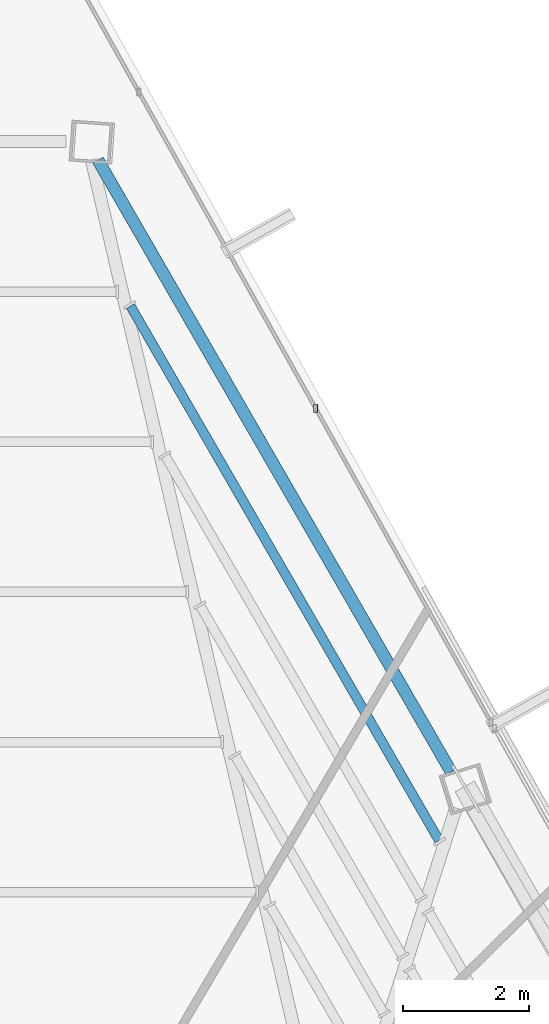
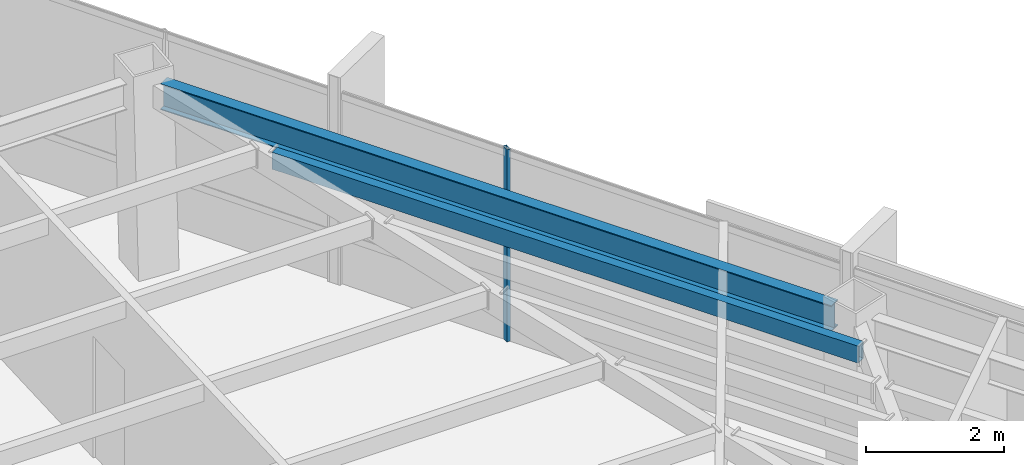
# One storey, part 34 of 45: 2 beams, 1 member, 1 element without a shape of its own.
"""IFC4 building model written with IfcOpenShell, lengths in metres."""

from ifc_helpers import new_model, si_unit, direction, frame, origin, origin_2d, place, context, subcontext, project, spatial, hollow_rectangle, i_section, extrude, source, transform, mapped, material, material_profile, profile_set, type_object, type_shapes, element, aggregate, save


model = new_model("IFC4")

# Units and contexts
model_context = context("Model", 3, precision=1e-05, world=origin(), true_north=direction((0.0, 1.0)))
body_context = subcontext(model_context, "Body", "Model", "MODEL_VIEW")
ifc_project = project(units=[si_unit("LENGTHUNIT", "METRE"), si_unit("AREAUNIT", "SQUARE_METRE"), si_unit("VOLUMEUNIT", "CUBIC_METRE"), si_unit("PLANEANGLEUNIT", "RADIAN"), si_unit("MASSUNIT", "GRAM", prefix="KILO")], contexts=[model_context])

# Site, building, storey
site_placement = place(None, origin())
site = spatial("IfcSite", under=ifc_project, at=site_placement, CompositionType="ELEMENT")
building_placement = place(site_placement, origin())
building = spatial("IfcBuilding", under=site, at=building_placement, Name="Caelisora Broadcast Tower", CompositionType="ELEMENT")
storey_placement = place(building_placement, frame((0.0, 0.0, 262.699951171875)))
storey = spatial("IfcBuildingStorey", under=building, at=storey_placement, Name="L69", CompositionType="ELEMENT", Elevation=262.699951171875)

# Beams
ifc_material_1 = material(Name="Steel Grade 350 (AS/NZS 3679.1)", Category="steel")
ifc_material_profile_1 = material_profile(ifc_material_1, i_section(OverallWidth=0.19091796875, OverallDepth=0.46044921875, WebThickness=0.010009765625, FlangeThickness=0.01611328125, at=origin_2d()), Name="Steel Grade 350 (AS/NZS 3679.1)")
ifc_profile_set_1 = profile_set([ifc_material_profile_1], Name="Steel Grade 350 (AS/NZS 3679.1)")
beam_type_1 = type_object("IfcBeamType", Name="PG06", PredefinedType="BEAM", material=ifc_profile_set_1)
shared_shape_1 = source(origin(), body_context, "Body", "SweptSolid", [
    extrude(i_section(OverallWidth=0.19091796875, OverallDepth=0.46044921875, WebThickness=0.010009765625, FlangeThickness=0.01611328125, at=origin_2d()), origin(), (0.0, 0.0, 1.0), 11.22265625),
])
type_shapes(beam_type_1, [shared_shape_1])
beam_1_placement = place(storey_placement, frame((47.388671875, 36.680419921875, 3.169921875), z_axis=(-0.500004293243, 0.866022925065, 0.0), x_axis=(-0.866022925065, -0.500004293243, 0.0)))
element("IfcBeam", 1, at=beam_1_placement, inside=storey, type_object=beam_type_1, Name="L69 beam PG06", PredefinedType="BEAM", context=body_context, shape_type="MappedRepresentation", body=[
    mapped(shared_shape_1, transform((0.0, 0.0, 0.0), scale=1.0)),
])
ifc_material_2 = material(Name="Steel Grade 350 (AS/NZS 1163 C350L0)", Category="steel")
ifc_material_profile_2 = material_profile(ifc_material_2, hollow_rectangle(XDim=0.14990234375, YDim=0.300048828125, WallThickness=0.010009765625, at=origin_2d()), Name="Steel Grade 350 (AS/NZS 1163 C350L0)")
ifc_profile_set_2 = profile_set([ifc_material_profile_2], Name="Steel Grade 350 (AS/NZS 1163 C350L0)")
beam_type_2 = type_object("IfcBeamType", Name="SB05", PredefinedType="JOIST", material=ifc_profile_set_2)
shared_shape_2 = source(origin(), body_context, "Body", "SweptSolid", [
    extrude(hollow_rectangle(XDim=0.14990234375, YDim=0.300048828125, WallThickness=0.010009765625, at=origin_2d()), origin(), (0.0, 0.0, 1.0), 9.806640625),
])
type_shapes(beam_type_2, [shared_shape_2])
beam_2_placement = place(storey_placement, frame((47.19775390625, 35.58935546875, 3.25), z_axis=(-0.499994700786, 0.866028463266, 0.0), x_axis=(-0.866028463266, -0.499994700786, 0.0)))
element("IfcBeam", 2, at=beam_2_placement, inside=storey, type_object=beam_type_2, Name="L69 beam SB05", PredefinedType="JOIST", context=body_context, shape_type="MappedRepresentation", body=[
    mapped(shared_shape_2, transform((0.0, 0.0, 0.0), scale=1.0)),
])

# Curtain wall, member
ifc_material_3 = material(Name="Unitised Aluminium and Low-E Glass Curtain Wall", Category="glass")
curtain_wall_type = type_object("IfcCurtainWallType", Name="CW-Z5", PredefinedType="NOTDEFINED", material=ifc_material_3)
curtain_wall_placement = place(storey_placement, origin())
curtain_wall = element("IfcCurtainWall", 3, at=curtain_wall_placement, inside=storey, type_object=curtain_wall_type, Name="L69 curtain wall CW-Z5", PredefinedType="NOTDEFINED")
ifc_material_4 = material(Name="Aluminium 6063-T6 Anodised Terracotta Bronze", Category="aluminium")
ifc_material_profile_3 = material_profile(ifc_material_4, hollow_rectangle(XDim=0.06005859375, YDim=0.1201171875, WallThickness=0.0029296875, at=origin_2d()), Name="Aluminium 6063-T6 Anodised Terracotta Bronze")
ifc_profile_set_3 = profile_set([ifc_material_profile_3], Name="Aluminium 6063-T6 Anodised Terracotta Bronze")
member_type = type_object("IfcMemberType", Name="CWM-04", PredefinedType="MULLION", material=ifc_profile_set_3)
shared_shape_3 = source(origin(), body_context, "Body", "SweptSolid", [
    extrude(hollow_rectangle(XDim=0.06005859375, YDim=0.1201171875, WallThickness=0.0029296875, at=origin_2d()), origin(), (0.0, 0.0, 1.0), 3.400146484375),
])
type_shapes(member_type, [shared_shape_3])
member_placement = place(storey_placement, frame((45.237060546875, 42.454345703125, 0.0), z_axis=(0.0, 0.0, 1.0), x_axis=(1.0, 0.0, 0.0)))
member = element("IfcMember", 4, at=member_placement, type_object=member_type, Name="L69-CW-B01 mullion #2", PredefinedType="MULLION", context=body_context, shape_type="MappedRepresentation", body=[
    mapped(shared_shape_3, transform((0.0, 0.0, 0.0), scale=1.0)),
])
aggregate(curtain_wall, [member])

save(model, "model.ifc")
